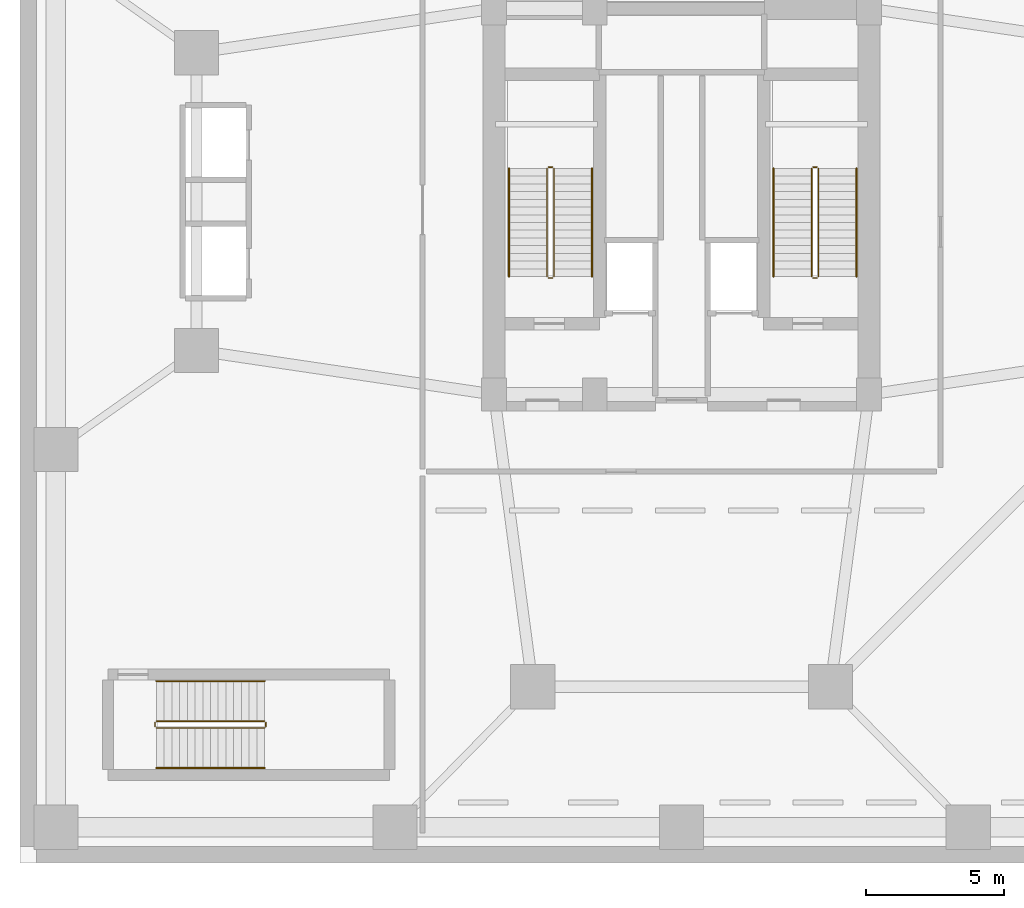
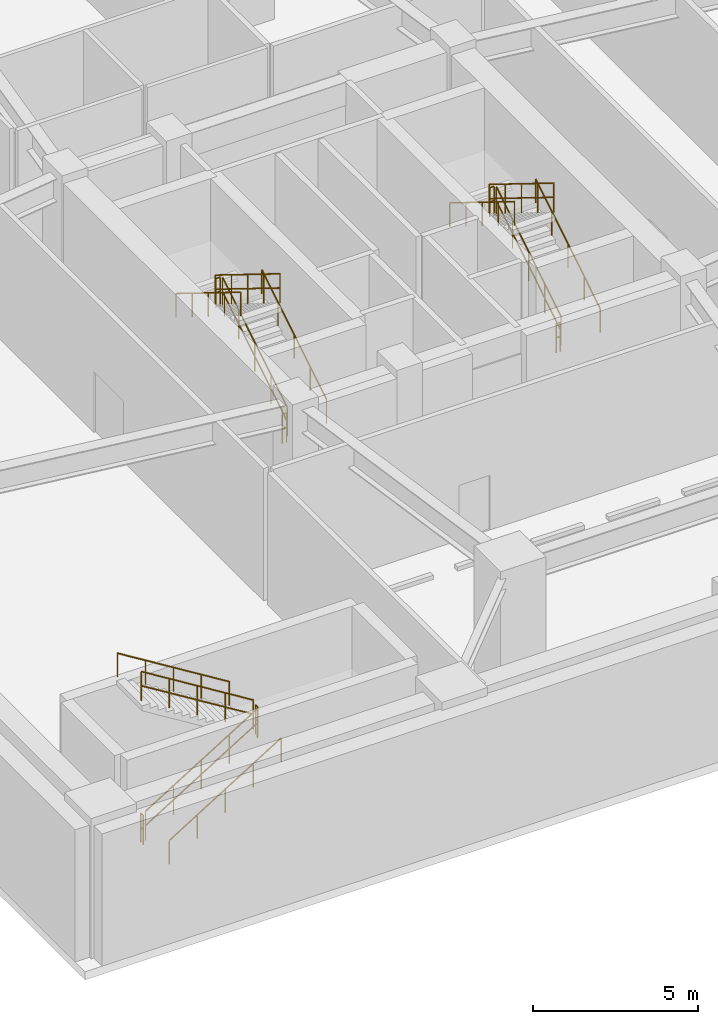
# One storey, part 9 of 13: 18 railings.
"""IFC4 building model written with IfcOpenShell, lengths in metres."""

from ifc_helpers import new_model, si_unit, direction, frame, origin, origin_2d, place, context, subcontext, project, spatial, circle, extrude, material, type_object, element, save


model = new_model("IFC4")

# Units and contexts
model_context = context("Model", 3, precision=1e-05, world=origin(), true_north=direction((0.0, 1.0)))
body_context = subcontext(model_context, "Body", "Model", "MODEL_VIEW")
ifc_project = project(units=[si_unit("LENGTHUNIT", "METRE"), si_unit("AREAUNIT", "SQUARE_METRE"), si_unit("VOLUMEUNIT", "CUBIC_METRE"), si_unit("PLANEANGLEUNIT", "RADIAN"), si_unit("MASSUNIT", "GRAM", prefix="KILO")], contexts=[model_context])

# Site, building, storey
site_placement = place(None, origin())
site = spatial("IfcSite", under=ifc_project, at=site_placement, CompositionType="ELEMENT")
building_placement = place(site_placement, origin())
building = spatial("IfcBuilding", under=site, at=building_placement, Name="Veraguas Prism Commons", CompositionType="ELEMENT")
storey_placement = place(building_placement, frame((0.0, 0.0, -5.199951171875)))
storey = spatial("IfcBuildingStorey", under=building, at=storey_placement, Name="B1", CompositionType="ELEMENT", Elevation=-5.199951171875)

# Railings
ifc_material = material(Name="Stainless steel AISI 316", Category="steel")
railing_type_1 = type_object("IfcRailingType", Name="Stair and Ramp Stainless Handrail 900", PredefinedType="HANDRAIL", material=ifc_material)
railing_1_placement = place(storey_placement, frame((20.75, 21.280029296875, 0.17333984375)))
element("IfcRailing", 1, at=railing_1_placement, inside=storey, type_object=railing_type_1, Name="Stair Handrail ST-01 B1-1", PredefinedType="HANDRAIL", context=body_context, shape_type="SweptSolid", body=[
    extrude(circle(Radius=0.02392578125, at=origin_2d()), frame((0.0, 0.0, 0.8759765625), z_axis=(0.0, 0.850275303828, 0.526338206574), x_axis=(-1.0, 0.0, 0.0)), (0.0, 0.0, 1.0), 4.610107421875),
    extrude(circle(Radius=0.02099609375, at=origin_2d()), origin(), (0.0, 0.0, 1.0), 0.851806640625),
    extrude(circle(Radius=0.02099609375, at=origin_2d()), frame((0.0, 0.97998046875, 0.606689453125)), (0.0, 0.0, 1.0), 0.851806640625),
    extrude(circle(Radius=0.02099609375, at=origin_2d()), frame((0.0, 1.9599609375, 1.21337890625)), (0.0, 0.0, 1.0), 0.851806640625),
    extrude(circle(Radius=0.02099609375, at=origin_2d()), frame((0.0, 2.93994140625, 1.81982421875)), (0.0, 0.0, 1.0), 0.851806640625),
    extrude(circle(Radius=0.02099609375, at=origin_2d()), frame((0.0, 3.919921875, 2.426513671875)), (0.0, 0.0, 1.0), 0.851806640625),
])
railing_2_placement = place(storey_placement, frame((17.739990234375, 25.199951171875, 2.773193359375)))
element("IfcRailing", 2, at=railing_2_placement, inside=storey, type_object=railing_type_1, Name="Stair Handrail ST-01 B1-2", PredefinedType="HANDRAIL", context=body_context, shape_type="SweptSolid", body=[
    extrude(circle(Radius=0.02392578125, at=origin_2d()), frame((0.0, 0.0, 0.8759765625), z_axis=(0.0, -0.850251603719, 0.526376491091), x_axis=(1.0, 0.0, 0.0)), (0.0, 0.0, 1.0), 4.6103515625),
    extrude(circle(Radius=0.02099609375, at=origin_2d()), origin(), (0.0, 0.0, 1.0), 0.851806640625),
    extrude(circle(Radius=0.02099609375, at=origin_2d()), frame((0.0, -0.97998046875, 0.606689453125)), (0.0, 0.0, 1.0), 0.851806640625),
    extrude(circle(Radius=0.02099609375, at=origin_2d()), frame((0.0, -1.9599609375, 1.21337890625)), (0.0, 0.0, 1.0), 0.851806640625),
    extrude(circle(Radius=0.02099609375, at=origin_2d()), frame((0.0, -2.93994140625, 1.820068359375)), (0.0, 0.0, 1.0), 0.851806640625),
    extrude(circle(Radius=0.02099609375, at=origin_2d()), frame((0.0, -3.919921875, 2.4267578125)), (0.0, 0.0, 1.0), 0.851806640625),
])
railing_3_placement = place(storey_placement, frame((30.35009765625, 21.280029296875, 0.17333984375)))
element("IfcRailing", 3, at=railing_3_placement, inside=storey, type_object=railing_type_1, Name="Stair Handrail ST-02 B1-1", PredefinedType="HANDRAIL", context=body_context, shape_type="SweptSolid", body=[
    extrude(circle(Radius=0.02392578125, at=origin_2d()), frame((0.0, 0.0, 0.8759765625), z_axis=(0.0, 0.850275303828, 0.526338206574), x_axis=(-1.0, 0.0, 0.0)), (0.0, 0.0, 1.0), 4.610107421875),
    extrude(circle(Radius=0.02099609375, at=origin_2d()), origin(), (0.0, 0.0, 1.0), 0.851806640625),
    extrude(circle(Radius=0.02099609375, at=origin_2d()), frame((0.0, 0.97998046875, 0.606689453125)), (0.0, 0.0, 1.0), 0.851806640625),
    extrude(circle(Radius=0.02099609375, at=origin_2d()), frame((0.0, 1.9599609375, 1.21337890625)), (0.0, 0.0, 1.0), 0.851806640625),
    extrude(circle(Radius=0.02099609375, at=origin_2d()), frame((0.0, 2.93994140625, 1.81982421875)), (0.0, 0.0, 1.0), 0.851806640625),
    extrude(circle(Radius=0.02099609375, at=origin_2d()), frame((0.0, 3.919921875, 2.426513671875)), (0.0, 0.0, 1.0), 0.851806640625),
])
railing_4_placement = place(storey_placement, frame((27.340087890625, 25.199951171875, 2.773193359375)))
element("IfcRailing", 4, at=railing_4_placement, inside=storey, type_object=railing_type_1, Name="Stair Handrail ST-02 B1-2", PredefinedType="HANDRAIL", context=body_context, shape_type="SweptSolid", body=[
    extrude(circle(Radius=0.02392578125, at=origin_2d()), frame((0.0, 0.0, 0.8759765625), z_axis=(0.0, -0.850251603719, 0.526376491091), x_axis=(1.0, 0.0, 0.0)), (0.0, 0.0, 1.0), 4.6103515625),
    extrude(circle(Radius=0.02099609375, at=origin_2d()), origin(), (0.0, 0.0, 1.0), 0.851806640625),
    extrude(circle(Radius=0.02099609375, at=origin_2d()), frame((0.0, -0.97998046875, 0.606689453125)), (0.0, 0.0, 1.0), 0.851806640625),
    extrude(circle(Radius=0.02099609375, at=origin_2d()), frame((0.0, -1.9599609375, 1.21337890625)), (0.0, 0.0, 1.0), 0.851806640625),
    extrude(circle(Radius=0.02099609375, at=origin_2d()), frame((0.0, -2.93994140625, 1.820068359375)), (0.0, 0.0, 1.0), 0.851806640625),
    extrude(circle(Radius=0.02099609375, at=origin_2d()), frame((0.0, -3.919921875, 2.4267578125)), (0.0, 0.0, 1.0), 0.851806640625),
])
railing_5_placement = place(storey_placement, frame((4.949951171875, 3.449951171875, 0.17333984375)))
element("IfcRailing", 5, at=railing_5_placement, inside=storey, type_object=railing_type_1, Name="Stair Handrail ST-M1 B1-1", PredefinedType="HANDRAIL", context=body_context, shape_type="SweptSolid", body=[
    extrude(circle(Radius=0.02392578125, at=origin_2d()), frame((0.0, 0.0, 0.8759765625), z_axis=(0.850289973577, 0.0, 0.526314507528), x_axis=(0.0, 1.0, 0.0)), (0.0, 0.0, 1.0), 4.6103515625),
    extrude(circle(Radius=0.02099609375, at=origin_2d()), origin(), (0.0, 0.0, 1.0), 0.851806640625),
    extrude(circle(Radius=0.02099609375, at=origin_2d()), frame((0.97998046875, 0.0, 0.606689453125)), (0.0, 0.0, 1.0), 0.851806640625),
    extrude(circle(Radius=0.02099609375, at=origin_2d()), frame((1.9599609375, 0.0, 1.21337890625)), (0.0, 0.0, 1.0), 0.851806640625),
    extrude(circle(Radius=0.02099609375, at=origin_2d()), frame((2.940185546875, 0.0, 1.81982421875)), (0.0, 0.0, 1.0), 0.851806640625),
    extrude(circle(Radius=0.02099609375, at=origin_2d()), frame((3.920166015625, 0.0, 2.426513671875)), (0.0, 0.0, 1.0), 0.851806640625),
])
railing_6_placement = place(storey_placement, frame((8.8701171875, 6.60009765625, 2.773193359375)))
element("IfcRailing", 6, at=railing_6_placement, inside=storey, type_object=railing_type_1, Name="Stair Handrail ST-M1 B1-2", PredefinedType="HANDRAIL", context=body_context, shape_type="SweptSolid", body=[
    extrude(circle(Radius=0.02392578125, at=origin_2d()), frame((0.0, 0.0, 0.8759765625), z_axis=(-0.850266275192, 0.0, 0.526352791643), x_axis=(0.0, -1.0, 0.0)), (0.0, 0.0, 1.0), 4.610595703125),
    extrude(circle(Radius=0.02099609375, at=origin_2d()), origin(), (0.0, 0.0, 1.0), 0.851806640625),
    extrude(circle(Radius=0.02099609375, at=origin_2d()), frame((-0.97998046875, 0.0, 0.606689453125)), (0.0, 0.0, 1.0), 0.851806640625),
    extrude(circle(Radius=0.02099609375, at=origin_2d()), frame((-1.9599609375, 0.0, 1.21337890625)), (0.0, 0.0, 1.0), 0.851806640625),
    extrude(circle(Radius=0.02099609375, at=origin_2d()), frame((-2.940185546875, 0.0, 1.820068359375)), (0.0, 0.0, 1.0), 0.851806640625),
    extrude(circle(Radius=0.02099609375, at=origin_2d()), frame((-3.920166015625, 0.0, 2.4267578125)), (0.0, 0.0, 1.0), 0.851806640625),
])
railing_type_2 = type_object("IfcRailingType", Name="Stairwell Safety Guardrail 1100", PredefinedType="GUARDRAIL", material=ifc_material)
railing_7_placement = place(storey_placement, frame((19.3701171875, 21.280029296875, 0.17333984375)))
element("IfcRailing", 7, at=railing_7_placement, inside=storey, type_object=railing_type_2, Name="Stair Guard ST-01 B1-1", PredefinedType="GUARDRAIL", context=body_context, shape_type="SweptSolid", body=[
    extrude(circle(Radius=0.02392578125, at=origin_2d()), frame((0.0, 0.0, 1.076171875), z_axis=(0.0, 0.850275303828, 0.526338206574), x_axis=(-1.0, 0.0, 0.0)), (0.0, 0.0, 1.0), 4.610107421875),
    extrude(circle(Radius=0.02392578125, at=origin_2d()), frame((0.0, 0.0, 0.550048828125), z_axis=(0.0, 0.850275303828, 0.526338206574), x_axis=(-1.0, 0.0, 0.0)), (0.0, 0.0, 1.0), 4.610107421875),
    extrude(circle(Radius=0.02099609375, at=origin_2d()), origin(), (0.0, 0.0, 1.0), 1.052001953125),
    extrude(circle(Radius=0.02099609375, at=origin_2d()), frame((0.0, 0.97998046875, 0.606689453125)), (0.0, 0.0, 1.0), 1.052001953125),
    extrude(circle(Radius=0.02099609375, at=origin_2d()), frame((0.0, 1.9599609375, 1.21337890625)), (0.0, 0.0, 1.0), 1.052001953125),
    extrude(circle(Radius=0.02099609375, at=origin_2d()), frame((0.0, 2.93994140625, 1.81982421875)), (0.0, 0.0, 1.0), 1.052001953125),
    extrude(circle(Radius=0.02099609375, at=origin_2d()), frame((0.0, 3.919921875, 2.426513671875)), (0.0, 0.0, 1.0), 1.052001953125),
])
railing_8_placement = place(storey_placement, frame((19.320068359375, 25.25, 2.599853515625)))
element("IfcRailing", 8, at=railing_8_placement, inside=storey, type_object=railing_type_2, Name="Stair Guard ST-01 B1-2", PredefinedType="GUARDRAIL", context=body_context, shape_type="SweptSolid", body=[
    extrude(circle(Radius=0.02392578125, at=origin_2d()), frame((0.0, 0.0, 1.076171875), z_axis=(-1.0, 0.0, 0.0), x_axis=(0.0, -1.0, 0.0)), (0.0, 0.0, 1.0), 0.150146484375),
    extrude(circle(Radius=0.02392578125, at=origin_2d()), frame((0.0, 0.0, 0.550048828125), z_axis=(-1.0, 0.0, 0.0), x_axis=(0.0, -1.0, 0.0)), (0.0, 0.0, 1.0), 0.150146484375),
    extrude(circle(Radius=0.02099609375, at=origin_2d()), origin(), (0.0, 0.0, 1.0), 1.052001953125),
    extrude(circle(Radius=0.02099609375, at=origin_2d()), frame((-0.150146484375, 0.0, 0.0)), (0.0, 0.0, 1.0), 1.052001953125),
])
railing_9_placement = place(storey_placement, frame((19.1201171875, 25.199951171875, 2.773193359375)))
element("IfcRailing", 9, at=railing_9_placement, inside=storey, type_object=railing_type_2, Name="Stair Guard ST-01 B1-3", PredefinedType="GUARDRAIL", context=body_context, shape_type="SweptSolid", body=[
    extrude(circle(Radius=0.02392578125, at=origin_2d()), frame((0.0, 0.0, 1.076171875), z_axis=(0.0, -0.850251603719, 0.526376491091), x_axis=(1.0, 0.0, 0.0)), (0.0, 0.0, 1.0), 4.6103515625),
    extrude(circle(Radius=0.02392578125, at=origin_2d()), frame((0.0, 0.0, 0.550048828125), z_axis=(0.0, -0.850251603719, 0.526376491091), x_axis=(1.0, 0.0, 0.0)), (0.0, 0.0, 1.0), 4.6103515625),
    extrude(circle(Radius=0.02099609375, at=origin_2d()), origin(), (0.0, 0.0, 1.0), 1.052001953125),
    extrude(circle(Radius=0.02099609375, at=origin_2d()), frame((0.0, -0.97998046875, 0.606689453125)), (0.0, 0.0, 1.0), 1.052001953125),
    extrude(circle(Radius=0.02099609375, at=origin_2d()), frame((0.0, -1.9599609375, 1.21337890625)), (0.0, 0.0, 1.0), 1.052001953125),
    extrude(circle(Radius=0.02099609375, at=origin_2d()), frame((0.0, -2.93994140625, 1.820068359375)), (0.0, 0.0, 1.0), 1.052001953125),
    extrude(circle(Radius=0.02099609375, at=origin_2d()), frame((0.0, -3.919921875, 2.4267578125)), (0.0, 0.0, 1.0), 1.052001953125),
])
railing_10_placement = place(storey_placement, frame((19.320068359375, 21.22998046875, 0.0)))
element("IfcRailing", 10, at=railing_10_placement, inside=storey, type_object=railing_type_2, Name="Stair Guard ST-01 B1-4", PredefinedType="GUARDRAIL", context=body_context, shape_type="SweptSolid", body=[
    extrude(circle(Radius=0.02392578125, at=origin_2d()), frame((0.0, 0.0, 1.076171875), z_axis=(-1.0, 0.0, 0.0), x_axis=(0.0, -1.0, 0.0)), (0.0, 0.0, 1.0), 0.150146484375),
    extrude(circle(Radius=0.02392578125, at=origin_2d()), frame((0.0, 0.0, 0.550048828125), z_axis=(-1.0, 0.0, 0.0), x_axis=(0.0, -1.0, 0.0)), (0.0, 0.0, 1.0), 0.150146484375),
    extrude(circle(Radius=0.02099609375, at=origin_2d()), origin(), (0.0, 0.0, 1.0), 1.052001953125),
    extrude(circle(Radius=0.02099609375, at=origin_2d()), frame((-0.150146484375, 0.0, 0.0)), (0.0, 0.0, 1.0), 1.052001953125),
])
railing_11_placement = place(storey_placement, frame((28.969970703125, 21.280029296875, 0.17333984375)))
element("IfcRailing", 11, at=railing_11_placement, inside=storey, type_object=railing_type_2, Name="Stair Guard ST-02 B1-1", PredefinedType="GUARDRAIL", context=body_context, shape_type="SweptSolid", body=[
    extrude(circle(Radius=0.02392578125, at=origin_2d()), frame((0.0, 0.0, 1.076171875), z_axis=(0.0, 0.850275303828, 0.526338206574), x_axis=(-1.0, 0.0, 0.0)), (0.0, 0.0, 1.0), 4.610107421875),
    extrude(circle(Radius=0.02392578125, at=origin_2d()), frame((0.0, 0.0, 0.550048828125), z_axis=(0.0, 0.850275303828, 0.526338206574), x_axis=(-1.0, 0.0, 0.0)), (0.0, 0.0, 1.0), 4.610107421875),
    extrude(circle(Radius=0.02099609375, at=origin_2d()), origin(), (0.0, 0.0, 1.0), 1.052001953125),
    extrude(circle(Radius=0.02099609375, at=origin_2d()), frame((0.0, 0.97998046875, 0.606689453125)), (0.0, 0.0, 1.0), 1.052001953125),
    extrude(circle(Radius=0.02099609375, at=origin_2d()), frame((0.0, 1.9599609375, 1.21337890625)), (0.0, 0.0, 1.0), 1.052001953125),
    extrude(circle(Radius=0.02099609375, at=origin_2d()), frame((0.0, 2.93994140625, 1.81982421875)), (0.0, 0.0, 1.0), 1.052001953125),
    extrude(circle(Radius=0.02099609375, at=origin_2d()), frame((0.0, 3.919921875, 2.426513671875)), (0.0, 0.0, 1.0), 1.052001953125),
])
railing_12_placement = place(storey_placement, frame((28.919921875, 25.25, 2.599853515625)))
element("IfcRailing", 12, at=railing_12_placement, inside=storey, type_object=railing_type_2, Name="Stair Guard ST-02 B1-2", PredefinedType="GUARDRAIL", context=body_context, shape_type="SweptSolid", body=[
    extrude(circle(Radius=0.02392578125, at=origin_2d()), frame((0.0, 0.0, 1.076171875), z_axis=(-1.0, 0.0, 0.0), x_axis=(0.0, -1.0, 0.0)), (0.0, 0.0, 1.0), 0.14990234375),
    extrude(circle(Radius=0.02392578125, at=origin_2d()), frame((0.0, 0.0, 0.550048828125), z_axis=(-1.0, 0.0, 0.0), x_axis=(0.0, -1.0, 0.0)), (0.0, 0.0, 1.0), 0.14990234375),
    extrude(circle(Radius=0.02099609375, at=origin_2d()), origin(), (0.0, 0.0, 1.0), 1.052001953125),
    extrude(circle(Radius=0.02099609375, at=origin_2d()), frame((-0.14990234375, 0.0, 0.0)), (0.0, 0.0, 1.0), 1.052001953125),
])
railing_13_placement = place(storey_placement, frame((28.719970703125, 25.199951171875, 2.773193359375)))
element("IfcRailing", 13, at=railing_13_placement, inside=storey, type_object=railing_type_2, Name="Stair Guard ST-02 B1-3", PredefinedType="GUARDRAIL", context=body_context, shape_type="SweptSolid", body=[
    extrude(circle(Radius=0.02392578125, at=origin_2d()), frame((0.0, 0.0, 1.076171875), z_axis=(0.0, -0.850251603719, 0.526376491091), x_axis=(1.0, 0.0, 0.0)), (0.0, 0.0, 1.0), 4.6103515625),
    extrude(circle(Radius=0.02392578125, at=origin_2d()), frame((0.0, 0.0, 0.550048828125), z_axis=(0.0, -0.850251603719, 0.526376491091), x_axis=(1.0, 0.0, 0.0)), (0.0, 0.0, 1.0), 4.6103515625),
    extrude(circle(Radius=0.02099609375, at=origin_2d()), origin(), (0.0, 0.0, 1.0), 1.052001953125),
    extrude(circle(Radius=0.02099609375, at=origin_2d()), frame((0.0, -0.97998046875, 0.606689453125)), (0.0, 0.0, 1.0), 1.052001953125),
    extrude(circle(Radius=0.02099609375, at=origin_2d()), frame((0.0, -1.9599609375, 1.21337890625)), (0.0, 0.0, 1.0), 1.052001953125),
    extrude(circle(Radius=0.02099609375, at=origin_2d()), frame((0.0, -2.93994140625, 1.820068359375)), (0.0, 0.0, 1.0), 1.052001953125),
    extrude(circle(Radius=0.02099609375, at=origin_2d()), frame((0.0, -3.919921875, 2.4267578125)), (0.0, 0.0, 1.0), 1.052001953125),
])
railing_14_placement = place(storey_placement, frame((28.919921875, 21.22998046875, 0.0)))
element("IfcRailing", 14, at=railing_14_placement, inside=storey, type_object=railing_type_2, Name="Stair Guard ST-02 B1-4", PredefinedType="GUARDRAIL", context=body_context, shape_type="SweptSolid", body=[
    extrude(circle(Radius=0.02392578125, at=origin_2d()), frame((0.0, 0.0, 1.076171875), z_axis=(-1.0, 0.0, 0.0), x_axis=(0.0, -1.0, 0.0)), (0.0, 0.0, 1.0), 0.14990234375),
    extrude(circle(Radius=0.02392578125, at=origin_2d()), frame((0.0, 0.0, 0.550048828125), z_axis=(-1.0, 0.0, 0.0), x_axis=(0.0, -1.0, 0.0)), (0.0, 0.0, 1.0), 0.14990234375),
    extrude(circle(Radius=0.02099609375, at=origin_2d()), origin(), (0.0, 0.0, 1.0), 1.052001953125),
    extrude(circle(Radius=0.02099609375, at=origin_2d()), frame((-0.14990234375, 0.0, 0.0)), (0.0, 0.0, 1.0), 1.052001953125),
])
railing_15_placement = place(storey_placement, frame((4.949951171875, 4.89990234375, 0.17333984375)))
element("IfcRailing", 15, at=railing_15_placement, inside=storey, type_object=railing_type_2, Name="Stair Guard ST-M1 B1-1", PredefinedType="GUARDRAIL", context=body_context, shape_type="SweptSolid", body=[
    extrude(circle(Radius=0.02392578125, at=origin_2d()), frame((0.0, 0.0, 1.076171875), z_axis=(0.850289973577, 0.0, 0.526314507528), x_axis=(0.0, 1.0, 0.0)), (0.0, 0.0, 1.0), 4.6103515625),
    extrude(circle(Radius=0.02392578125, at=origin_2d()), frame((0.0, 0.0, 0.550048828125), z_axis=(0.850289973577, 0.0, 0.526314507528), x_axis=(0.0, 1.0, 0.0)), (0.0, 0.0, 1.0), 4.6103515625),
    extrude(circle(Radius=0.02099609375, at=origin_2d()), origin(), (0.0, 0.0, 1.0), 1.052001953125),
    extrude(circle(Radius=0.02099609375, at=origin_2d()), frame((0.97998046875, 0.0, 0.606689453125)), (0.0, 0.0, 1.0), 1.052001953125),
    extrude(circle(Radius=0.02099609375, at=origin_2d()), frame((1.9599609375, 0.0, 1.21337890625)), (0.0, 0.0, 1.0), 1.052001953125),
    extrude(circle(Radius=0.02099609375, at=origin_2d()), frame((2.940185546875, 0.0, 1.81982421875)), (0.0, 0.0, 1.0), 1.052001953125),
    extrude(circle(Radius=0.02099609375, at=origin_2d()), frame((3.920166015625, 0.0, 2.426513671875)), (0.0, 0.0, 1.0), 1.052001953125),
])
railing_16_placement = place(storey_placement, frame((8.919921875, 4.949951171875, 2.599853515625)))
element("IfcRailing", 16, at=railing_16_placement, inside=storey, type_object=railing_type_2, Name="Stair Guard ST-M1 B1-2", PredefinedType="GUARDRAIL", context=body_context, shape_type="SweptSolid", body=[
    extrude(circle(Radius=0.02392578125, at=origin_2d()), frame((0.0, 0.0, 1.076171875), z_axis=(0.0, 1.0, 0.0), x_axis=(-1.0, 0.0, 0.0)), (0.0, 0.0, 1.0), 0.150146484375),
    extrude(circle(Radius=0.02392578125, at=origin_2d()), frame((0.0, 0.0, 0.550048828125), z_axis=(0.0, 1.0, 0.0), x_axis=(-1.0, 0.0, 0.0)), (0.0, 0.0, 1.0), 0.150146484375),
    extrude(circle(Radius=0.02099609375, at=origin_2d()), origin(), (0.0, 0.0, 1.0), 1.052001953125),
    extrude(circle(Radius=0.02099609375, at=origin_2d()), frame((0.0, 0.150146484375, 0.0)), (0.0, 0.0, 1.0), 1.052001953125),
])
railing_17_placement = place(storey_placement, frame((8.8701171875, 5.14990234375, 2.773193359375)))
element("IfcRailing", 17, at=railing_17_placement, inside=storey, type_object=railing_type_2, Name="Stair Guard ST-M1 B1-3", PredefinedType="GUARDRAIL", context=body_context, shape_type="SweptSolid", body=[
    extrude(circle(Radius=0.02392578125, at=origin_2d()), frame((0.0, 0.0, 1.076171875), z_axis=(-0.850266275192, 0.0, 0.526352791643), x_axis=(0.0, -1.0, 0.0)), (0.0, 0.0, 1.0), 4.610595703125),
    extrude(circle(Radius=0.02392578125, at=origin_2d()), frame((0.0, 0.0, 0.550048828125), z_axis=(-0.850266275192, 0.0, 0.526352791643), x_axis=(0.0, -1.0, 0.0)), (0.0, 0.0, 1.0), 4.610595703125),
    extrude(circle(Radius=0.02099609375, at=origin_2d()), origin(), (0.0, 0.0, 1.0), 1.052001953125),
    extrude(circle(Radius=0.02099609375, at=origin_2d()), frame((-0.97998046875, 0.0, 0.606689453125)), (0.0, 0.0, 1.0), 1.052001953125),
    extrude(circle(Radius=0.02099609375, at=origin_2d()), frame((-1.9599609375, 0.0, 1.21337890625)), (0.0, 0.0, 1.0), 1.052001953125),
    extrude(circle(Radius=0.02099609375, at=origin_2d()), frame((-2.940185546875, 0.0, 1.820068359375)), (0.0, 0.0, 1.0), 1.052001953125),
    extrude(circle(Radius=0.02099609375, at=origin_2d()), frame((-3.920166015625, 0.0, 2.4267578125)), (0.0, 0.0, 1.0), 1.052001953125),
])
railing_18_placement = place(storey_placement, frame((4.89990234375, 4.949951171875, 0.0)))
element("IfcRailing", 18, at=railing_18_placement, inside=storey, type_object=railing_type_2, Name="Stair Guard ST-M1 B1-4", PredefinedType="GUARDRAIL", context=body_context, shape_type="SweptSolid", body=[
    extrude(circle(Radius=0.02392578125, at=origin_2d()), frame((0.0, 0.0, 1.076171875), z_axis=(0.0, 1.0, 0.0), x_axis=(-1.0, 0.0, 0.0)), (0.0, 0.0, 1.0), 0.150146484375),
    extrude(circle(Radius=0.02392578125, at=origin_2d()), frame((0.0, 0.0, 0.550048828125), z_axis=(0.0, 1.0, 0.0), x_axis=(-1.0, 0.0, 0.0)), (0.0, 0.0, 1.0), 0.150146484375),
    extrude(circle(Radius=0.02099609375, at=origin_2d()), origin(), (0.0, 0.0, 1.0), 1.052001953125),
    extrude(circle(Radius=0.02099609375, at=origin_2d()), frame((0.0, 0.150146484375, 0.0)), (0.0, 0.0, 1.0), 1.052001953125),
])

save(model, "model.ifc")
